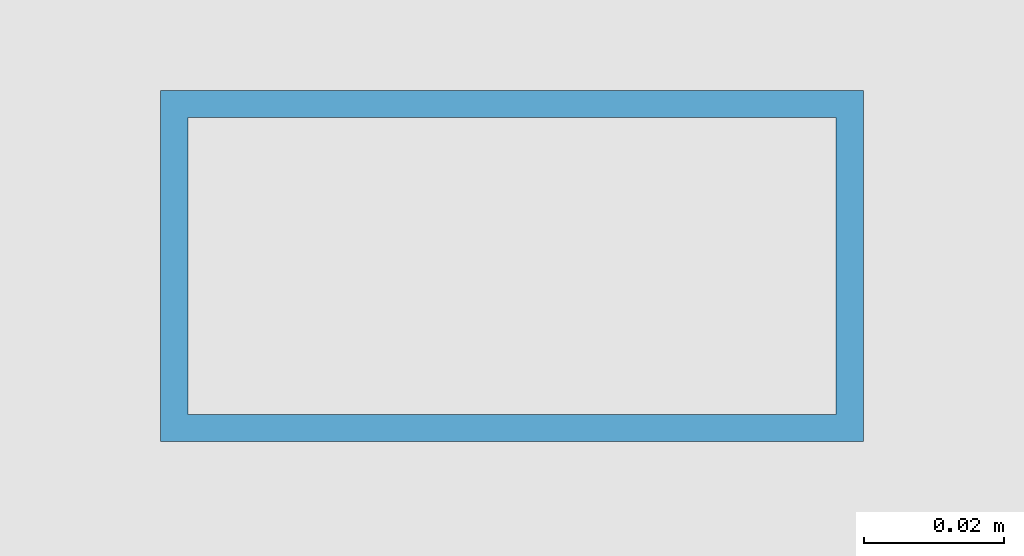
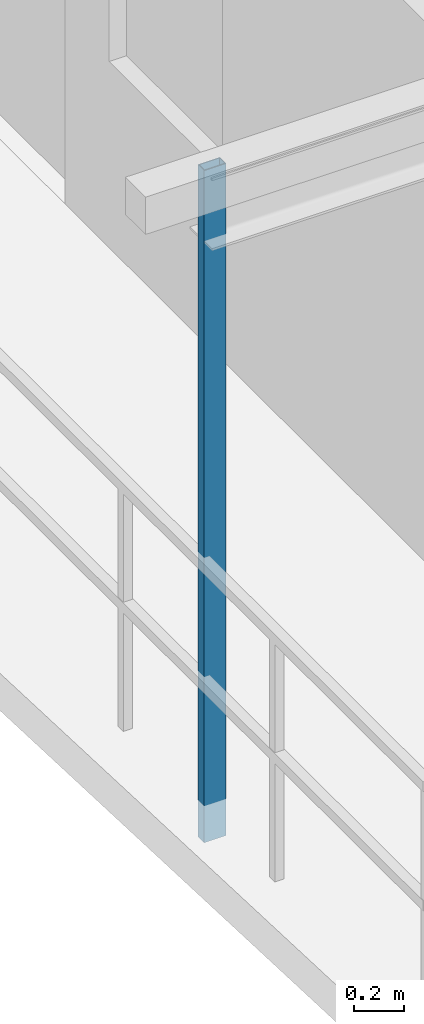
# One storey, part 3 of 18: 1 member.
"""IFC4 building model written with IfcOpenShell, lengths in metres."""

from ifc_helpers import new_model, si_unit, direction, frame, origin, origin_2d, place, context, subcontext, project, spatial, hollow_rectangle, extrude, source, transform, mapped, material, material_profile, profile_set, type_object, element, save


model = new_model("IFC4")

# Units and contexts
model_context = context("Model", 3, precision=1e-05, world=origin(), true_north=direction((0.0, 1.0)))
body_context = subcontext(model_context, "Body", "Model", "MODEL_VIEW")
ifc_project = project(units=[si_unit("LENGTHUNIT", "METRE"), si_unit("AREAUNIT", "SQUARE_METRE"), si_unit("VOLUMEUNIT", "CUBIC_METRE"), si_unit("PLANEANGLEUNIT", "RADIAN"), si_unit("MASSUNIT", "GRAM", prefix="KILO"), si_unit("THERMODYNAMICTEMPERATUREUNIT", "KELVIN"), si_unit("POWERUNIT", "WATT")], contexts=[model_context])

# Site, building, storey
site_placement = place(None, origin())
site = spatial("IfcSite", under=ifc_project, at=site_placement, CompositionType="ELEMENT")
building_placement = place(site_placement, origin())
building = spatial("IfcBuilding", under=site, at=building_placement, Name="Qiaomeng Ring Towers", CompositionType="ELEMENT")
storey_placement = place(building_placement, frame((0.0, 0.0, 147.0)))
storey = spatial("IfcBuildingStorey", under=building, at=storey_placement, Name="L42", CompositionType="ELEMENT", Elevation=147.0)

# Member
ifc_material = material(Name="Stainless steel 316", Category="steel")
ifc_material_profile = material_profile(ifc_material, hollow_rectangle(XDim=0.050048828125, YDim=0.10009765625, WallThickness=0.00390625, at=origin_2d()), Name="SS TRELLIS 100x50")
ifc_profile_set = profile_set([ifc_material_profile], Name="Stainless steel 316")
member_type = type_object("IfcMemberType", Name="ARC-TR-POST2", PredefinedType="STUD", material=ifc_profile_set)
shared_shape = source(origin(), body_context, "Body", "SweptSolid", [
    extrude(hollow_rectangle(XDim=0.050048828125, YDim=0.10009765625, WallThickness=0.00390625, at=origin_2d()), origin(), (0.0, 0.0, 1.0), 3.25),
])
member_placement = place(storey_placement, frame((-0.449951171875, 20.0, -0.179931640625), z_axis=(0.0, 0.0, 1.0), x_axis=(0.0, 1.0, 0.0)))
element("IfcMember", 1, at=member_placement, inside=storey, type_object=member_type, Name="L42 Outer Ventilated Trellis Post W", PredefinedType="STUD", context=body_context, shape_type="MappedRepresentation", body=[
    mapped(shared_shape, transform((0.0, 0.0, 0.0), x_axis=(1.0, 0.0, 0.0), y_axis=(0.0, 1.0, 0.0), z_axis=(0.0, 0.0, 1.0), scale=1.0)),
])

save(model, "model.ifc")
